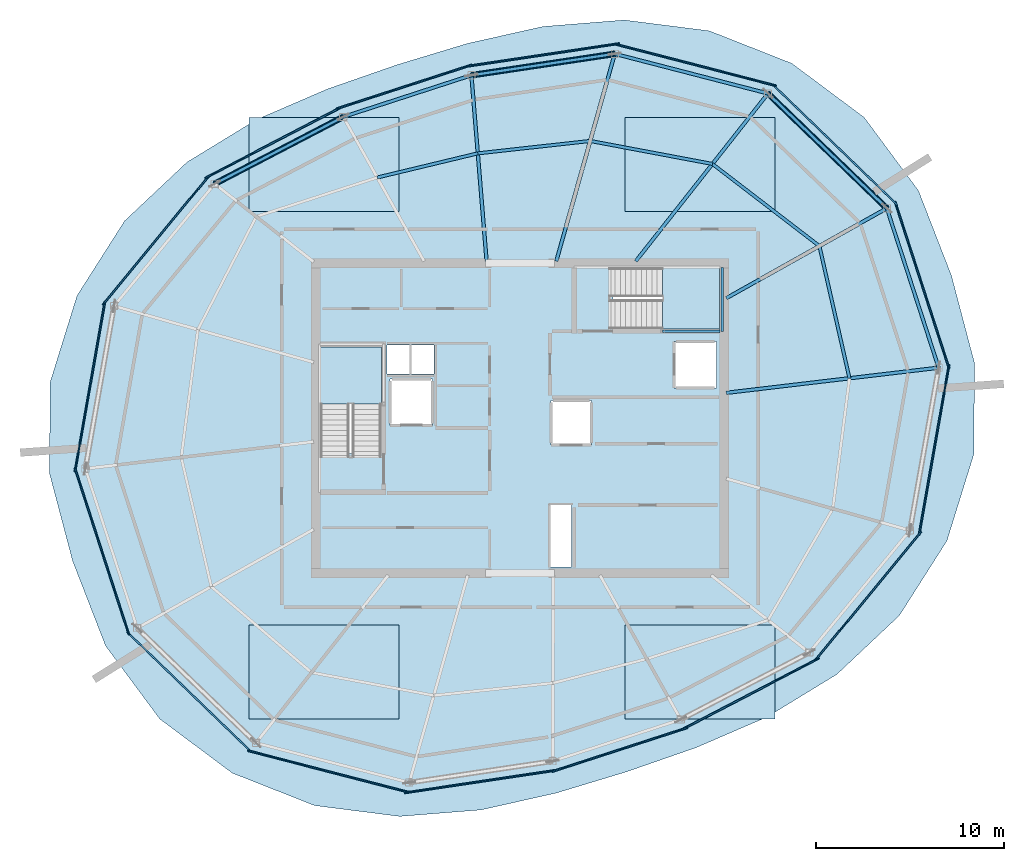
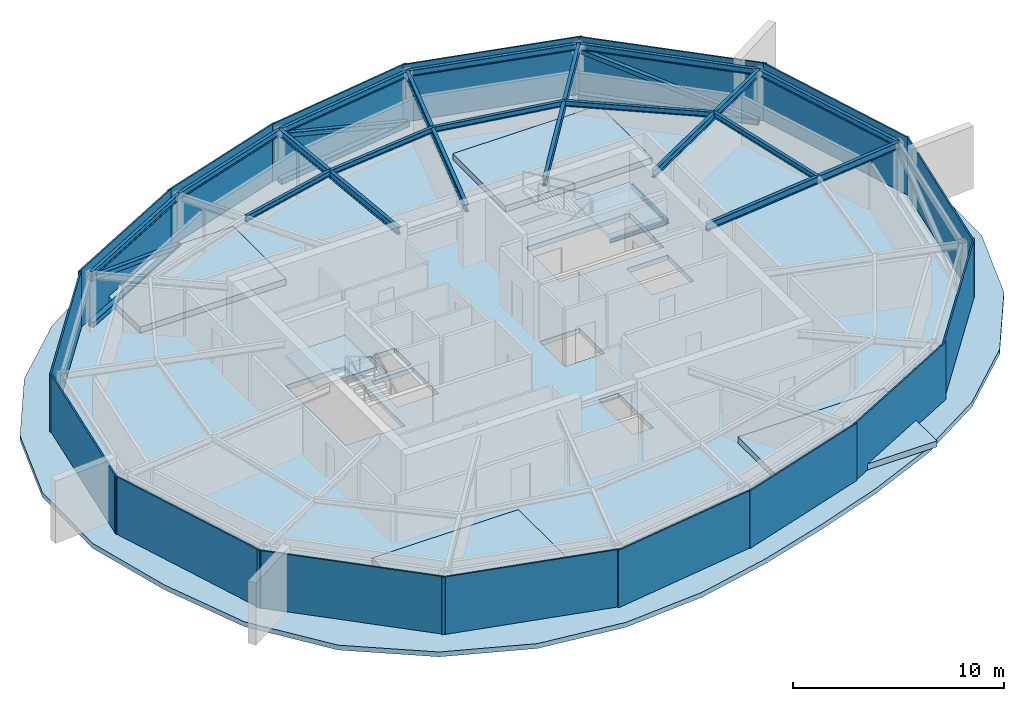
# One storey, part 5 of 10: 18 beams, 16 plates, 7 slabs, 6 members, 2 elements without a shape of their own.
"""IFC4 building model written with IfcOpenShell, lengths in metres."""

import ifcopenshell
import ifcopenshell.guid

model = None  # the IFC model being written
_history = None  # IfcOwnerHistory: only IFC2X3 demands one
_inside = {}  # id of a spatial element -> (the spatial element, [elements in it])
_under = {}  # id of a project, library or spatial element -> (it, [spatial elements below it])
_declared = {}  # id of a project -> (the project, [libraries it declares])
_typed = {}  # id of a type object -> (the type object, [elements of that type])
_made_of = {}  # id of a material, layer set ... -> (it, [elements and type objects made of it])


def new_model(schema):
    """Start an empty IFC model of exactly this schema.

    Asked for "IFC4X3", IfcOpenShell would pick the latest addendum, in which some entities
    have other attributes; the version numbers below select the first issue.
    IFC2X3 requires an IfcOwnerHistory on every rooted entity: one is made here for all.
    """
    global model, _history
    if schema == "IFC4X3":
        model = ifcopenshell.file(schema_version=(4, 3, 0, 0))
    else:
        model = ifcopenshell.file(schema=schema)
    _inside.clear()
    _under.clear()
    _declared.clear()
    _typed.clear()
    _made_of.clear()
    _history = None
    if model.schema == "IFC2X3":
        org = make("IfcOrganization", Name="unknown")
        user = make(
            "IfcPersonAndOrganization",
            ThePerson=make("IfcPerson", FamilyName="unknown"),
            TheOrganization=org,
        )
        app = make(
            "IfcApplication",
            ApplicationDeveloper=org,
            Version="unknown",
            ApplicationFullName="unknown",
            ApplicationIdentifier="unknown",
        )
        _history = make(
            "IfcOwnerHistory",
            OwningUser=user,
            OwningApplication=app,
            ChangeAction="ADDED",
            CreationDate=0,
        )
    return model


def make(cls, **values):
    """One entity of the class cls with the attributes given. An attribute that is None is left unset."""
    return model.create_entity(
        cls, **{name: value for name, value in values.items() if value is not None}
    )


def rooted(cls, **values):
    """An entity with a GlobalId (a new one), such as an element, a storey or a relation."""
    return make(cls, GlobalId=ifcopenshell.guid.new(), OwnerHistory=_history, **values)


def si_unit(unit_type, name, prefix=None):
    """IfcSIUnit, for example si_unit("LENGTHUNIT", "METRE", prefix="MILLI")."""
    return make("IfcSIUnit", UnitType=unit_type, Prefix=prefix, Name=name)


def assignment(units):
    """IfcUnitAssignment: the units of a project."""
    return None if units is None else make("IfcUnitAssignment", Units=units)


def point(xyz):
    """IfcCartesianPoint."""
    return None if xyz is None else make("IfcCartesianPoint", Coordinates=xyz)


def direction(xyz):
    """IfcDirection."""
    return None if xyz is None else make("IfcDirection", DirectionRatios=xyz)


def frame(location, z_axis=None, x_axis=None):
    """IfcAxis2Placement3D, a coordinate frame: its origin and axes. An axis left out is left unset."""
    return make(
        "IfcAxis2Placement3D",
        Location=point(location),
        Axis=direction(z_axis),
        RefDirection=direction(x_axis),
    )


def frame_2d(location, x_axis=None):
    """IfcAxis2Placement2D, a coordinate frame in the plane: its origin and x axis."""
    return make(
        "IfcAxis2Placement2D", Location=point(location), RefDirection=direction(x_axis)
    )


def origin():
    """The frame at (0, 0, 0) with its axes left unset."""
    return frame((0.0, 0.0, 0.0))


def origin_2d():
    """The frame at (0, 0) in the plane with its x axis left unset."""
    return frame_2d((0.0, 0.0))


def place(relative_to, where):
    """IfcLocalPlacement: puts the frame where relative to a parent placement (None: the world)."""
    return make(
        "IfcLocalPlacement", PlacementRelTo=relative_to, RelativePlacement=where
    )


def context(
    kind, dimensions, precision=None, world=None, true_north=None, identifier=None
):
    """IfcGeometricRepresentationContext, for example the 3D "Model" context."""
    return make(
        "IfcGeometricRepresentationContext",
        ContextIdentifier=identifier,
        ContextType=kind,
        CoordinateSpaceDimension=dimensions,
        Precision=precision,
        WorldCoordinateSystem=world,
        TrueNorth=true_north,
    )


def subcontext(parent, identifier, kind, view, scale=None):
    """IfcGeometricRepresentationSubContext, for example "Body" below "Model"."""
    return make(
        "IfcGeometricRepresentationSubContext",
        ContextIdentifier=identifier,
        ContextType=kind,
        ParentContext=parent,
        TargetScale=scale,
        TargetView=view,
    )


def project(units=None, contexts=None):
    """IfcProject with its units and contexts."""
    return rooted(
        "IfcProject",
        Name="project",
        RepresentationContexts=contexts,
        UnitsInContext=assignment(units),
    )


def spatial(cls, under=None, at=None, **own):
    """A site, building, storey or space (cls), placed at a placement, below another one or the project."""
    s = rooted(cls, ObjectPlacement=at, **own)
    if under is not None:
        _under.setdefault(under.id(), (under, []))[1].append(s)
    return s


def polyline(points):
    """IfcPolyline through the points."""
    return make("IfcPolyline", Points=[point(p) for p in points])


def profile(cls, at=None, kind="AREA", **sizes):
    """A parametric profile (cls). Its sizes go by their IFC names, for example OverallWidth=200.0."""
    return make(cls, ProfileType=kind, Position=at, **sizes)


def rectangle(**sizes):
    """IfcRectangleProfileDef."""
    return profile("IfcRectangleProfileDef", **sizes)


def hollow_rectangle(**sizes):
    """IfcRectangleHollowProfileDef."""
    return profile("IfcRectangleHollowProfileDef", **sizes)


def i_section(**sizes):
    """IfcIShapeProfileDef."""
    return profile("IfcIShapeProfileDef", **sizes)


def outline(outer, holes=None, kind="AREA"):
    """IfcArbitraryClosedProfileDef: a profile drawn as a closed curve; with holes, ...WithVoids."""
    if holes is None:
        return make("IfcArbitraryClosedProfileDef", ProfileType=kind, OuterCurve=outer)
    return make(
        "IfcArbitraryProfileDefWithVoids",
        ProfileType=kind,
        OuterCurve=outer,
        InnerCurves=holes,
    )


def extrude(swept, where, along, depth):
    """IfcExtrudedAreaSolid: the profile swept, set in the frame where, extruded along a direction by depth."""
    return make(
        "IfcExtrudedAreaSolid",
        SweptArea=swept,
        Position=where,
        ExtrudedDirection=direction(along),
        Depth=depth,
    )


def shape(context_of_items, identifier, shape_type, items):
    """IfcShapeRepresentation: the items that make up one representation, for example the "Body"."""
    return make(
        "IfcShapeRepresentation",
        ContextOfItems=context_of_items,
        RepresentationIdentifier=identifier,
        RepresentationType=shape_type,
        Items=items,
    )


def material(Name=None, Category=None):
    """IfcMaterial."""
    return make("IfcMaterial", Name=Name, Category=Category)


def layer(
    of_material, thickness, ventilated=None, Name=None, Category=None, Priority=None
):
    """IfcMaterialLayer: one layer of a wall or slab, of a material (None: an air gap)."""
    return make(
        "IfcMaterialLayer",
        Material=of_material,
        LayerThickness=thickness,
        IsVentilated=ventilated,
        Name=Name,
        Category=Category,
        Priority=Priority,
    )


def layer_set(layers, Name=None):
    """IfcMaterialLayerSet."""
    return make("IfcMaterialLayerSet", MaterialLayers=layers, LayerSetName=Name)


def material_profile(
    of_material, cross_section, Name=None, Category=None, Priority=None
):
    """IfcMaterialProfile: a cross section and its material."""
    return make(
        "IfcMaterialProfile",
        Name=Name,
        Material=of_material,
        Profile=cross_section,
        Priority=Priority,
        Category=Category,
    )


def profile_set(profiles, Name=None, composite=None):
    """IfcMaterialProfileSet."""
    return make(
        "IfcMaterialProfileSet",
        Name=Name,
        MaterialProfiles=profiles,
        CompositeProfile=composite,
    )


def made_of(thing, what):
    """Note that an element or type object is made of a material, layer set ...; save() writes the relation."""
    if what is not None:
        _made_of.setdefault(what.id(), (what, []))[1].append(thing)
    return thing


def type_object(cls, material=None, **own):
    """A type object (cls), such as IfcWallType, which elements share."""
    return made_of(rooted(cls, **own), material)


def element(
    cls,
    number,
    at=None,
    inside=None,
    cuts=None,
    type_object=None,
    material=None,
    context=None,
    identifier="Body",
    shape_type=None,
    held_by="IfcProductDefinitionShape",
    body=None,
    shapes=None,
    **own,
):
    """One element of the class cls, such as IfcWall. Its Tag is "e" and its number.

    at: its placement. inside: the storey or other place that contains it. cuts: it is an
    opening in that element (IfcRelVoidsElement). A single representation is given by context,
    identifier, shape_type and body (its items); several are given by shapes. held_by: the class
    of the entity that holds the representations. save() writes the other relations.
    """
    e = rooted(cls, Tag="e%d" % number, ObjectPlacement=at, **own)
    if body is not None:
        shapes = [shape(context, identifier, shape_type, body)]
    if shapes is not None:
        e.Representation = make(held_by, Representations=shapes)
    if inside is not None:
        _inside.setdefault(inside.id(), (inside, []))[1].append(e)
    if cuts is not None:
        rooted(
            "IfcRelVoidsElement", RelatingBuildingElement=cuts, RelatedOpeningElement=e
        )
    if type_object is not None:
        _typed.setdefault(type_object.id(), (type_object, []))[1].append(e)
    return made_of(e, material)


def aggregate(whole, parts):
    """IfcRelAggregates: a whole, such as a stair, and the parts it consists of."""
    return rooted("IfcRelAggregates", RelatingObject=whole, RelatedObjects=parts)


def save(model, path):
    """Write the relations noted so far, then the file.

    IfcRelAggregates (storeys below a building ...), IfcRelContainedInSpatialStructure (elements
    in a storey), IfcRelDefinesByType, IfcRelAssociatesMaterial and IfcRelDeclares: one each for
    every whole, place, type object, material and project.
    """
    for whole, parts in _under.values():
        aggregate(whole, parts)
    for where, things in _inside.values():
        rooted(
            "IfcRelContainedInSpatialStructure",
            RelatedElements=things,
            RelatingStructure=where,
        )
    for kind, things in _typed.values():
        rooted("IfcRelDefinesByType", RelatedObjects=things, RelatingType=kind)
    for what, things in _made_of.values():
        rooted("IfcRelAssociatesMaterial", RelatedObjects=things, RelatingMaterial=what)
    for by, libraries in _declared.values():
        rooted("IfcRelDeclares", RelatingContext=by, RelatedDefinitions=libraries)
    model.write(path)


model = new_model("IFC4")

# Units and contexts
model_context = context("Model", 3, precision=1e-05, world=origin(), true_north=direction((0.0, 1.0)))
body_context = subcontext(model_context, "Body", "Model", "MODEL_VIEW")
ifc_project = project(units=[si_unit("LENGTHUNIT", "METRE"), si_unit("AREAUNIT", "SQUARE_METRE"), si_unit("VOLUMEUNIT", "CUBIC_METRE"), si_unit("PLANEANGLEUNIT", "RADIAN"), si_unit("MASSUNIT", "GRAM", prefix="KILO")], contexts=[model_context])

# Site, building, storey
site_placement = place(None, origin())
site = spatial("IfcSite", under=ifc_project, at=site_placement, CompositionType="ELEMENT")
building_placement = place(site_placement, origin())
building = spatial("IfcBuilding", under=site, at=building_placement, Name="Kazma Halo Residences", CompositionType="ELEMENT")
storey_placement = place(building_placement, frame((0.0, 0.0, 366.800048828125)))
storey = spatial("IfcBuildingStorey", under=building, at=storey_placement, Name="L92", CompositionType="ELEMENT", Elevation=366.800048828125)

# Beams
ifc_material_1 = material(Name="Steel S355", Category="steel")
ifc_material_profile_1 = material_profile(ifc_material_1, i_section(OverallWidth=0.177978515625, OverallDepth=0.406982421875, WebThickness=0.0078125, FlangeThickness=0.0126953125, FilletRadius=0.013916015625, at=origin_2d()), Name="W410x60")
ifc_profile_set_1 = profile_set([ifc_material_profile_1], Name="Steel S355")
beam_type_1 = type_object("IfcBeamType", Name="BM-RAD-W410", PredefinedType="BEAM", material=ifc_profile_set_1)
beam_1_placement = place(storey_placement, frame((59.39990234375, 48.38427734375, 3.116455078125), z_axis=(0.872500487018, 0.488613241894, 0.0), x_axis=(-0.488613241894, 0.872500487018, 0.0)))
element("IfcBeam", 1, at=beam_1_placement, inside=storey, type_object=beam_type_1, Name="L92 radial floor beam 01", PredefinedType="BEAM", context=body_context, shape_type="SweptSolid", body=[
    extrude(i_section(OverallWidth=0.177978515625, OverallDepth=0.406982421875, WebThickness=0.0078125, FlangeThickness=0.0126953125, FilletRadius=0.013916015625, at=origin_2d()), origin(), (0.0, 0.0, 1.0), 9.788818359375),
])
beam_2_placement = place(storey_placement, frame((54.58251953125, 50.35009765625, 3.116455078125), z_axis=(0.619100773028, 0.785311551447, 0.0), x_axis=(-0.785311551447, 0.619100773028, 0.0)))
element("IfcBeam", 2, at=beam_2_placement, inside=storey, type_object=beam_type_1, Name="L92 radial floor beam 02", PredefinedType="BEAM", context=body_context, shape_type="SweptSolid", body=[
    extrude(i_section(OverallWidth=0.177978515625, OverallDepth=0.406982421875, WebThickness=0.0078125, FlangeThickness=0.0126953125, FilletRadius=0.013916015625, at=origin_2d()), origin(), (0.0, 0.0, 1.0), 11.363037109375),
])
beam_3_placement = place(storey_placement, frame((50.35498046875, 50.35009765625, 3.116455078125), z_axis=(0.271433859027, 0.962457095238, 0.0), x_axis=(-0.962457095238, 0.271433859027, 0.0)))
element("IfcBeam", 3, at=beam_3_placement, inside=storey, type_object=beam_type_1, Name="L92 radial floor beam 03", PredefinedType="BEAM", context=body_context, shape_type="SweptSolid", body=[
    extrude(i_section(OverallWidth=0.177978515625, OverallDepth=0.406982421875, WebThickness=0.0078125, FlangeThickness=0.0126953125, FilletRadius=0.013916015625, at=origin_2d()), origin(), (0.0, 0.0, 1.0), 11.462646484375),
])
beam_4_placement = place(storey_placement, frame((46.64990234375, 50.35009765625, 3.116455078125), z_axis=(-0.081506605081, 0.996672801539, 0.0), x_axis=(-0.996672801539, -0.081506605081, 0.0)))
element("IfcBeam", 4, at=beam_4_placement, inside=storey, type_object=beam_type_1, Name="L92 radial floor beam 04", PredefinedType="BEAM", context=body_context, shape_type="SweptSolid", body=[
    extrude(i_section(OverallWidth=0.177978515625, OverallDepth=0.406982421875, WebThickness=0.0078125, FlangeThickness=0.0126953125, FilletRadius=0.013916015625, at=origin_2d()), origin(), (0.0, 0.0, 1.0), 9.926513671875),
])
beam_5_placement = place(storey_placement, frame((59.39990234375, 43.349365234375, 3.116455078125), z_axis=(0.993069497533, 0.117528605327, 0.0), x_axis=(-0.117528605327, 0.993069497533, 0.0)))
element("IfcBeam", 5, at=beam_5_placement, inside=storey, type_object=beam_type_1, Name="L92 radial floor beam 16", PredefinedType="BEAM", context=body_context, shape_type="SweptSolid", body=[
    extrude(i_section(OverallWidth=0.177978515625, OverallDepth=0.406982421875, WebThickness=0.0078125, FlangeThickness=0.0126953125, FilletRadius=0.013916015625, at=origin_2d()), origin(), (0.0, 0.0, 1.0), 11.375244140625),
])
ifc_material_profile_2 = material_profile(ifc_material_1, i_section(OverallWidth=0.1650390625, OverallDepth=0.31005859375, WebThickness=0.005859375, FlangeThickness=0.009765625, FilletRadius=0.011962890625, at=origin_2d()), Name="W310x38.7")
ifc_profile_set_2 = profile_set([ifc_material_profile_2], Name="Steel S355")
beam_type_2 = type_object("IfcBeamType", Name="BM-SEC-W310B", PredefinedType="JOIST", material=ifc_profile_set_2)
beam_6_placement = place(storey_placement, frame((64.353515625, 51.158447265625, 3.1650390625), z_axis=(-0.793314295729, 0.608812309494, 0.0), x_axis=(-0.608812309494, -0.793314295729, 0.0)))
element("IfcBeam", 6, at=beam_6_placement, inside=storey, type_object=beam_type_2, Name="L92 circumferential floor joist 01", PredefinedType="JOIST", context=body_context, shape_type="SweptSolid", body=[
    extrude(i_section(OverallWidth=0.1650390625, OverallDepth=0.31005859375, WebThickness=0.005859375, FlangeThickness=0.009765625, FilletRadius=0.011962890625, at=origin_2d()), origin(), (0.0, 0.0, 1.0), 7.17333984375),
])
beam_7_placement = place(storey_placement, frame((58.662841796875, 55.525634765625, 3.1650390625), z_axis=(-0.982768028721, 0.184843181435, 0.0), x_axis=(-0.184843181435, -0.982768028721, 0.0)))
element("IfcBeam", 7, at=beam_7_placement, inside=storey, type_object=beam_type_2, Name="L92 circumferential floor joist 02", PredefinedType="JOIST", context=body_context, shape_type="SweptSolid", body=[
    extrude(i_section(OverallWidth=0.1650390625, OverallDepth=0.31005859375, WebThickness=0.005859375, FlangeThickness=0.009765625, FilletRadius=0.011962890625, at=origin_2d()), origin(), (0.0, 0.0, 1.0), 6.6171875),
])
beam_8_placement = place(storey_placement, frame((52.15966796875, 56.748779296875, 3.1650390625), z_axis=(-0.993955293014, -0.109785588714, 0.0), x_axis=(0.109785588714, -0.993955293014, 0.0)))
element("IfcBeam", 8, at=beam_8_placement, inside=storey, type_object=beam_type_2, Name="L92 circumferential floor joist 03", PredefinedType="JOIST", context=body_context, shape_type="SweptSolid", body=[
    extrude(i_section(OverallWidth=0.1650390625, OverallDepth=0.31005859375, WebThickness=0.005859375, FlangeThickness=0.009765625, FilletRadius=0.011962890625, at=origin_2d()), origin(), (0.0, 0.0, 1.0), 6.015380859375),
])
beam_9_placement = place(storey_placement, frame((46.1806640625, 56.08837890625, 3.1650390625), z_axis=(-0.972370386067, -0.233443424194, 0.0), x_axis=(0.233443424194, -0.972370386067, 0.0)))
element("IfcBeam", 9, at=beam_9_placement, inside=storey, type_object=beam_type_2, Name="L92 circumferential floor joist 04", PredefinedType="JOIST", context=body_context, shape_type="SweptSolid", body=[
    extrude(i_section(OverallWidth=0.1650390625, OverallDepth=0.31005859375, WebThickness=0.005859375, FlangeThickness=0.009765625, FilletRadius=0.011962890625, at=origin_2d()), origin(), (0.0, 0.0, 1.0), 5.503173828125),
])
beam_10_placement = place(storey_placement, frame((65.951904296875, 44.124755859375, 3.1650390625), z_axis=(-0.221597696416, 0.975138175308, 0.0), x_axis=(-0.975138175308, -0.221597696416, 0.0)))
element("IfcBeam", 10, at=beam_10_placement, inside=storey, type_object=beam_type_2, Name="L92 circumferential floor joist 16", PredefinedType="JOIST", context=body_context, shape_type="SweptSolid", body=[
    extrude(i_section(OverallWidth=0.1650390625, OverallDepth=0.31005859375, WebThickness=0.005859375, FlangeThickness=0.009765625, FilletRadius=0.011962890625, at=origin_2d()), origin(), (0.0, 0.0, 1.0), 7.213134765625),
])
ifc_material_profile_3 = material_profile(ifc_material_1, i_section(OverallWidth=0.1708984375, OverallDepth=0.35498046875, WebThickness=0.007080078125, FlangeThickness=0.01171875, FilletRadius=0.013916015625, at=origin_2d()), Name="W360x51")
ifc_profile_set_3 = profile_set([ifc_material_profile_3], Name="Steel S355")
beam_type_3 = type_object("IfcBeamType", Name="BM-SPN-W360", PredefinedType="BEAM", material=ifc_profile_set_3)
beam_11_placement = place(storey_placement, frame((67.940673828125, 53.167236328125, 3.142333984375), z_axis=(-0.719330630477, 0.694667866003, 0.0), x_axis=(-0.694667866003, -0.719330630477, 0.0)))
element("IfcBeam", 11, at=beam_11_placement, inside=storey, type_object=beam_type_3, Name="L92 CROWN FRAME ring beam 01", PredefinedType="BEAM", context=body_context, shape_type="SweptSolid", body=[
    extrude(i_section(OverallWidth=0.1708984375, OverallDepth=0.35498046875, WebThickness=0.007080078125, FlangeThickness=0.01171875, FilletRadius=0.013916015625, at=origin_2d()), origin(), (0.0, 0.0, 1.0), 8.79052734375),
])
beam_12_placement = place(storey_placement, frame((61.617431640625, 59.273681640625, 3.142333984375), z_axis=(-0.968129821283, 0.250448895271, 0.0), x_axis=(-0.250448895271, -0.968129821283, 0.0)))
element("IfcBeam", 12, at=beam_12_placement, inside=storey, type_object=beam_type_3, Name="L92 CROWN FRAME ring beam 02", PredefinedType="BEAM", context=body_context, shape_type="SweptSolid", body=[
    extrude(i_section(OverallWidth=0.1708984375, OverallDepth=0.35498046875, WebThickness=0.007080078125, FlangeThickness=0.01171875, FilletRadius=0.013916015625, at=origin_2d()), origin(), (0.0, 0.0, 1.0), 8.41943359375),
])
beam_13_placement = place(storey_placement, frame((53.46630859375, 61.38232421875, 3.142333984375), z_axis=(-0.989034152337, -0.147686984904, 0.0), x_axis=(0.147686984904, -0.989034152337, 0.0)))
element("IfcBeam", 13, at=beam_13_placement, inside=storey, type_object=beam_type_3, Name="L92 CROWN FRAME ring beam 03", PredefinedType="BEAM", context=body_context, shape_type="SweptSolid", body=[
    extrude(i_section(OverallWidth=0.1708984375, OverallDepth=0.35498046875, WebThickness=0.007080078125, FlangeThickness=0.01171875, FilletRadius=0.013916015625, at=origin_2d()), origin(), (0.0, 0.0, 1.0), 7.7099609375),
])
beam_14_placement = place(storey_placement, frame((45.8408203125, 60.24365234375, 3.142333984375), z_axis=(-0.951067102, -0.308984413026, 0.0), x_axis=(0.308984413026, -0.951067102, 0.0)))
element("IfcBeam", 14, at=beam_14_placement, inside=storey, type_object=beam_type_3, Name="L92 CROWN FRAME ring beam 04", PredefinedType="BEAM", context=body_context, shape_type="SweptSolid", body=[
    extrude(i_section(OverallWidth=0.1708984375, OverallDepth=0.35498046875, WebThickness=0.007080078125, FlangeThickness=0.01171875, FilletRadius=0.013916015625, at=origin_2d()), origin(), (0.0, 0.0, 1.0), 7.168212890625),
])
beam_15_placement = place(storey_placement, frame((39.0234375, 58.02880859375, 3.142333984375), z_axis=(-0.886940838721, -0.461883046461, 0.0), x_axis=(0.461883046461, -0.886940838721, 0.0)))
element("IfcBeam", 15, at=beam_15_placement, inside=storey, type_object=beam_type_3, Name="L92 CROWN FRAME ring beam 05", PredefinedType="BEAM", context=body_context, shape_type="SweptSolid", body=[
    extrude(i_section(OverallWidth=0.1708984375, OverallDepth=0.35498046875, WebThickness=0.007080078125, FlangeThickness=0.01171875, FilletRadius=0.013916015625, at=origin_2d()), origin(), (0.0, 0.0, 1.0), 7.71044921875),
])
beam_16_placement = place(storey_placement, frame((70.6962890625, 44.686279296875, 3.142333984375), z_axis=(-0.309015498459, 0.951057002346, 0.0), x_axis=(-0.951057002346, -0.309015498459, 0.0)))
element("IfcBeam", 16, at=beam_16_placement, inside=storey, type_object=beam_type_3, Name="L92 CROWN FRAME ring beam 16", PredefinedType="BEAM", context=body_context, shape_type="SweptSolid", body=[
    extrude(i_section(OverallWidth=0.1708984375, OverallDepth=0.35498046875, WebThickness=0.007080078125, FlangeThickness=0.01171875, FilletRadius=0.013916015625, at=origin_2d()), origin(), (0.0, 0.0, 1.0), 8.91748046875),
])
ifc_material_profile_4 = material_profile(ifc_material_1, i_section(OverallWidth=0.133056640625, OverallDepth=0.20703125, WebThickness=0.005859375, FlangeThickness=0.00830078125, FilletRadius=0.010009765625, at=origin_2d()), Name="W200x26.6")
ifc_profile_set_4 = profile_set([ifc_material_profile_4], Name="Steel S355")
beam_type_4 = type_object("IfcBeamType", Name="BM-TRIM-W200", PredefinedType="BEAM", material=ifc_profile_set_4)
beam_17_placement = place(storey_placement, frame((56.0, 46.6201171875, 1.494873046875), z_axis=(1.0, 0.0, 0.0), x_axis=(0.0, 1.0, 0.0)))
element("IfcBeam", 17, at=beam_17_placement, inside=storey, type_object=beam_type_4, Name="L92 ST-02 landing south wall ledger", PredefinedType="BEAM", context=body_context, shape_type="SweptSolid", body=[
    extrude(i_section(OverallWidth=0.133056640625, OverallDepth=0.20703125, WebThickness=0.005859375, FlangeThickness=0.00830078125, FilletRadius=0.010009765625, at=origin_2d()), origin(), (0.0, 0.0, 1.0), 3.070068359375),
])
beam_18_placement = place(storey_placement, frame((59.18994140625, 46.6201171875, 1.494873046875), z_axis=(0.0, 1.0, 0.0), x_axis=(-1.0, 0.0, 0.0)))
element("IfcBeam", 18, at=beam_18_placement, inside=storey, type_object=beam_type_4, Name="L92 ST-02 landing end wall ledger", PredefinedType="BEAM", context=body_context, shape_type="SweptSolid", body=[
    extrude(i_section(OverallWidth=0.133056640625, OverallDepth=0.20703125, WebThickness=0.005859375, FlangeThickness=0.00830078125, FilletRadius=0.010009765625, at=origin_2d()), origin(), (0.0, 0.0, 1.0), 3.39990234375),
])

# Members
ifc_material_profile_5 = material_profile(ifc_material_1, hollow_rectangle(XDim=0.25, YDim=0.25, WallThickness=0.010009765625, InnerFilletRadius=0.010009765625, OuterFilletRadius=0.02001953125, at=origin_2d()), Name="SHS250x250x10")
ifc_profile_set_5 = profile_set([ifc_material_profile_5], Name="Steel S355")
member_type_1 = type_object("IfcMemberType", Name="MBR-CRWN-SHS250", PredefinedType="BRACE", material=ifc_profile_set_5)
member_1_placement = place(storey_placement, frame((67.940673828125, 53.167236328125, 0.280029296875), z_axis=(-0.688500856282, 0.664895112638, 0.289622271397), x_axis=(-0.694667866003, -0.719330630477, 0.0)))
element("IfcMember", 19, at=member_1_placement, inside=storey, type_object=member_type_1, Name="L92 CROWN FRAME diagonal brace 01", PredefinedType="BRACE", context=body_context, shape_type="SweptSolid", body=[
    extrude(hollow_rectangle(XDim=0.25, YDim=0.25, WallThickness=0.010009765625, InnerFilletRadius=0.010009765625, OuterFilletRadius=0.02001953125, at=origin_2d()), origin(), (0.0, 0.0, 1.0), 9.18408203125),
])
member_2_placement = place(storey_placement, frame((53.46630859375, 61.38232421875, 0.280029296875), z_axis=(-0.934958348146, -0.139612144962, 0.326130857497), x_axis=(0.147686984904, -0.989034152337, 0.0)))
element("IfcMember", 20, at=member_2_placement, inside=storey, type_object=member_type_1, Name="L92 CROWN FRAME diagonal brace 03", PredefinedType="BRACE", context=body_context, shape_type="SweptSolid", body=[
    extrude(hollow_rectangle(XDim=0.25, YDim=0.25, WallThickness=0.010009765625, InnerFilletRadius=0.010009765625, OuterFilletRadius=0.02001953125, at=origin_2d()), origin(), (0.0, 0.0, 1.0), 8.156005859375),
])
member_3_placement = place(storey_placement, frame((39.0234375, 58.02880859375, 0.280029296875), z_axis=(-0.838450646682, -0.436631308527, 0.326119017372), x_axis=(0.461883046461, -0.886940838721, 0.0)))
element("IfcMember", 21, at=member_3_placement, inside=storey, type_object=member_type_1, Name="L92 CROWN FRAME diagonal brace 05", PredefinedType="BRACE", context=body_context, shape_type="SweptSolid", body=[
    extrude(hollow_rectangle(XDim=0.25, YDim=0.25, WallThickness=0.010009765625, InnerFilletRadius=0.010009765625, OuterFilletRadius=0.02001953125, at=origin_2d()), origin(), (0.0, 0.0, 1.0), 8.15625),
])
ifc_material_profile_6 = material_profile(ifc_material_1, hollow_rectangle(XDim=0.300048828125, YDim=0.300048828125, WallThickness=0.012451171875, InnerFilletRadius=0.012451171875, OuterFilletRadius=0.02490234375, at=origin_2d()), Name="SHS300x300x12.5")
ifc_profile_set_6 = profile_set([ifc_material_profile_6], Name="Steel S355")
member_type_2 = type_object("IfcMemberType", Name="MBR-CRWN-SHS300", PredefinedType="CHORD", material=ifc_profile_set_6)
member_4_placement = place(storey_placement, frame((67.940673828125, 53.167236328125, 0.280029296875), z_axis=(-0.719330630477, 0.694667866003, 0.0), x_axis=(-0.694667866003, -0.719330630477, 0.0)))
element("IfcMember", 22, at=member_4_placement, inside=storey, type_object=member_type_2, Name="L92 CROWN FRAME horizontal ring chord 01", PredefinedType="CHORD", context=body_context, shape_type="SweptSolid", body=[
    extrude(hollow_rectangle(XDim=0.300048828125, YDim=0.300048828125, WallThickness=0.012451171875, InnerFilletRadius=0.012451171875, OuterFilletRadius=0.02490234375, at=origin_2d()), origin(), (0.0, 0.0, 1.0), 8.79052734375),
])
member_5_placement = place(storey_placement, frame((53.46630859375, 61.38232421875, 0.280029296875), z_axis=(-0.989034152337, -0.147686984904, 0.0), x_axis=(0.147686984904, -0.989034152337, 0.0)))
element("IfcMember", 23, at=member_5_placement, inside=storey, type_object=member_type_2, Name="L92 CROWN FRAME horizontal ring chord 03", PredefinedType="CHORD", context=body_context, shape_type="SweptSolid", body=[
    extrude(hollow_rectangle(XDim=0.300048828125, YDim=0.300048828125, WallThickness=0.012451171875, InnerFilletRadius=0.012451171875, OuterFilletRadius=0.02490234375, at=origin_2d()), origin(), (0.0, 0.0, 1.0), 7.7099609375),
])
member_6_placement = place(storey_placement, frame((39.0234375, 58.02880859375, 0.280029296875), z_axis=(-0.886940838721, -0.461883046461, 0.0), x_axis=(0.461883046461, -0.886940838721, 0.0)))
element("IfcMember", 24, at=member_6_placement, inside=storey, type_object=member_type_2, Name="L92 CROWN FRAME horizontal ring chord 05", PredefinedType="CHORD", context=body_context, shape_type="SweptSolid", body=[
    extrude(hollow_rectangle(XDim=0.300048828125, YDim=0.300048828125, WallThickness=0.012451171875, InnerFilletRadius=0.012451171875, OuterFilletRadius=0.02490234375, at=origin_2d()), origin(), (0.0, 0.0, 1.0), 7.71044921875),
])

# Plates
ifc_material_2 = material(Name="Aluminium AW-6063 T6 Perforated Acoustic Louvre Screen", Category="aluminium")
ifc_layer_1 = layer(ifc_material_2, 0.080078125)
ifc_layer_set_1 = layer_set([ifc_layer_1], Name="Aluminium AW-6063 T6 Perforated Acoustic Louvre Screen")
plate_type = type_object("IfcPlateType", Name="PLT-CROWN-LOUVRE", PredefinedType="SHEET", material=ifc_layer_set_1)
plate_1_placement = place(storey_placement, frame((65.17578125, 56.556640625, 0.0), z_axis=(0.0, 0.0, 1.0), x_axis=(-0.719342064482, 0.694656025863, 0.0)))
element("IfcPlate", 25, at=plate_1_placement, inside=storey, type_object=plate_type, Name="L92 pale-metal acoustic louvre screen 01", PredefinedType="SHEET", context=body_context, shape_type="SweptSolid", body=[
    extrude(rectangle(XDim=9.1904296875, YDim=0.080078125, at=origin_2d()), origin(), (0.0, 0.0, 1.0), 3.320068359375),
])
plate_2_placement = place(storey_placement, frame((57.781982421875, 60.789306640625, 0.0), z_axis=(0.0, 0.0, 1.0), x_axis=(-0.968124370805, 0.250469963576, 0.0)))
element("IfcPlate", 26, at=plate_2_placement, inside=storey, type_object=plate_type, Name="L92 pale-metal acoustic louvre screen 02", PredefinedType="SHEET", context=body_context, shape_type="SweptSolid", body=[
    extrude(rectangle(XDim=8.8193359375, YDim=0.080078125, at=origin_2d()), origin(), (0.0, 0.0, 1.0), 3.320068359375),
])
plate_3_placement = place(storey_placement, frame((49.69921875, 61.3310546875, 0.0), z_axis=(0.0, 0.0, 1.0), x_axis=(-0.98903421845, -0.147686542161, 0.0)))
element("IfcPlate", 27, at=plate_3_placement, inside=storey, type_object=plate_type, Name="L92 pale-metal acoustic louvre screen 03", PredefinedType="SHEET", context=body_context, shape_type="SweptSolid", body=[
    extrude(rectangle(XDim=8.110107421875, YDim=0.080078125, at=origin_2d()), origin(), (0.0, 0.0, 1.0), 3.320068359375),
])
plate_4_placement = place(storey_placement, frame((42.271484375, 59.630615234375, 0.0), z_axis=(0.0, 0.0, 1.0), x_axis=(-0.951058260985, -0.309011624721, 0.0)))
element("IfcPlate", 28, at=plate_4_placement, inside=storey, type_object=plate_type, Name="L92 pale-metal acoustic louvre screen 04", PredefinedType="SHEET", context=body_context, shape_type="SweptSolid", body=[
    extrude(rectangle(XDim=7.568115234375, YDim=0.080078125, at=origin_2d()), origin(), (0.0, 0.0, 1.0), 3.320068359375),
])
plate_5_placement = place(storey_placement, frame((35.262939453125, 56.640380859375, 0.0), z_axis=(0.0, 0.0, 1.0), x_axis=(-0.886949727325, -0.461865977529, 0.0)))
element("IfcPlate", 29, at=plate_5_placement, inside=storey, type_object=plate_type, Name="L92 pale-metal acoustic louvre screen 05", PredefinedType="SHEET", context=body_context, shape_type="SweptSolid", body=[
    extrude(rectangle(XDim=8.110107421875, YDim=0.080078125, at=origin_2d()), origin(), (0.0, 0.0, 1.0), 3.320068359375),
])
plate_6_placement = place(storey_placement, frame((29.0419921875, 51.451171875, 0.0), z_axis=(0.0, 0.0, 1.0), x_axis=(-0.636007787073, -0.771682638643, 0.0)))
element("IfcPlate", 30, at=plate_6_placement, inside=storey, type_object=plate_type, Name="L92 pale-metal acoustic louvre screen 06", PredefinedType="SHEET", context=body_context, shape_type="SweptSolid", body=[
    extrude(rectangle(XDim=8.8193359375, YDim=0.080078125, at=origin_2d()), origin(), (0.0, 0.0, 1.0), 3.320068359375),
])
plate_7_placement = place(storey_placement, frame((25.54833984375, 43.680908203125, 0.0), z_axis=(0.0, 0.0, 1.0), x_axis=(-0.173656186938, -0.984806340728, 0.0)))
element("IfcPlate", 31, at=plate_7_placement, inside=storey, type_object=plate_type, Name="L92 pale-metal acoustic louvre screen 07", PredefinedType="SHEET", context=body_context, shape_type="SweptSolid", body=[
    extrude(rectangle(XDim=9.1904296875, YDim=0.080078125, at=origin_2d()), origin(), (0.0, 0.0, 1.0), 3.320068359375),
])
plate_8_placement = place(storey_placement, frame((26.18701171875, 34.91259765625, 0.0), z_axis=(0.0, 0.0, 1.0), x_axis=(0.309022680214, -0.951054668835, 0.0)))
element("IfcPlate", 32, at=plate_8_placement, inside=storey, type_object=plate_type, Name="L92 pale-metal acoustic louvre screen 08", PredefinedType="SHEET", context=body_context, shape_type="SweptSolid", body=[
    extrude(rectangle(XDim=9.3173828125, YDim=0.080078125, at=origin_2d()), origin(), (0.0, 0.0, 1.0), 3.320068359375),
])
plate_9_placement = place(storey_placement, frame((30.82421875, 27.443359375, 0.0), z_axis=(0.0, 0.0, 1.0), x_axis=(0.719342064482, -0.694656025863, 0.0)))
element("IfcPlate", 33, at=plate_9_placement, inside=storey, type_object=plate_type, Name="L92 pale-metal acoustic louvre screen 09", PredefinedType="SHEET", context=body_context, shape_type="SweptSolid", body=[
    extrude(rectangle(XDim=9.1904296875, YDim=0.080078125, at=origin_2d()), origin(), (0.0, 0.0, 1.0), 3.320068359375),
])
plate_10_placement = place(storey_placement, frame((38.218017578125, 23.210693359375, 0.0), z_axis=(0.0, 0.0, 1.0), x_axis=(0.968124370805, -0.250469963576, 0.0)))
element("IfcPlate", 34, at=plate_10_placement, inside=storey, type_object=plate_type, Name="L92 pale-metal acoustic louvre screen 10", PredefinedType="SHEET", context=body_context, shape_type="SweptSolid", body=[
    extrude(rectangle(XDim=8.8193359375, YDim=0.080078125, at=origin_2d()), origin(), (0.0, 0.0, 1.0), 3.320068359375),
])
plate_11_placement = place(storey_placement, frame((46.30078125, 22.6689453125, 0.0), z_axis=(0.0, 0.0, 1.0), x_axis=(0.98903421845, 0.147686542161, 0.0)))
element("IfcPlate", 35, at=plate_11_placement, inside=storey, type_object=plate_type, Name="L92 pale-metal acoustic louvre screen 11", PredefinedType="SHEET", context=body_context, shape_type="SweptSolid", body=[
    extrude(rectangle(XDim=8.110107421875, YDim=0.080078125, at=origin_2d()), origin(), (0.0, 0.0, 1.0), 3.320068359375),
])
plate_12_placement = place(storey_placement, frame((53.728515625, 24.369384765625, 0.0), z_axis=(0.0, 0.0, 1.0), x_axis=(0.951058260985, 0.309011624721, 0.0)))
element("IfcPlate", 36, at=plate_12_placement, inside=storey, type_object=plate_type, Name="L92 pale-metal acoustic louvre screen 12", PredefinedType="SHEET", context=body_context, shape_type="SweptSolid", body=[
    extrude(rectangle(XDim=7.568115234375, YDim=0.080078125, at=origin_2d()), origin(), (0.0, 0.0, 1.0), 3.320068359375),
])
plate_13_placement = place(storey_placement, frame((60.737060546875, 27.359619140625, 0.0), z_axis=(0.0, 0.0, 1.0), x_axis=(0.886949727325, 0.461865977529, 0.0)))
element("IfcPlate", 37, at=plate_13_placement, inside=storey, type_object=plate_type, Name="L92 pale-metal acoustic louvre screen 13", PredefinedType="SHEET", context=body_context, shape_type="SweptSolid", body=[
    extrude(rectangle(XDim=8.110107421875, YDim=0.080078125, at=origin_2d()), origin(), (0.0, 0.0, 1.0), 3.320068359375),
])
plate_14_placement = place(storey_placement, frame((66.9580078125, 32.548828125, 0.0), z_axis=(0.0, 0.0, 1.0), x_axis=(0.636007787073, 0.771682638643, 0.0)))
element("IfcPlate", 38, at=plate_14_placement, inside=storey, type_object=plate_type, Name="L92 pale-metal acoustic louvre screen 14", PredefinedType="SHEET", context=body_context, shape_type="SweptSolid", body=[
    extrude(rectangle(XDim=8.8193359375, YDim=0.080078125, at=origin_2d()), origin(), (0.0, 0.0, 1.0), 3.320068359375),
])
plate_15_placement = place(storey_placement, frame((70.45166015625, 40.319091796875, 0.0), z_axis=(0.0, 0.0, 1.0), x_axis=(0.173656186938, 0.984806340728, 0.0)))
element("IfcPlate", 39, at=plate_15_placement, inside=storey, type_object=plate_type, Name="L92 pale-metal acoustic louvre screen 15", PredefinedType="SHEET", context=body_context, shape_type="SweptSolid", body=[
    extrude(rectangle(XDim=9.1904296875, YDim=0.080078125, at=origin_2d()), origin(), (0.0, 0.0, 1.0), 3.320068359375),
])
plate_16_placement = place(storey_placement, frame((69.81298828125, 49.08740234375, 0.0), z_axis=(0.0, 0.0, 1.0), x_axis=(-0.309022680214, 0.951054668835, 0.0)))
element("IfcPlate", 40, at=plate_16_placement, inside=storey, type_object=plate_type, Name="L92 pale-metal acoustic louvre screen 16", PredefinedType="SHEET", context=body_context, shape_type="SweptSolid", body=[
    extrude(rectangle(XDim=9.3173828125, YDim=0.080078125, at=origin_2d()), origin(), (0.0, 0.0, 1.0), 3.320068359375),
])

# Slabs
ifc_material_3 = material(Name="Concrete C50/60", Category="concrete")
ifc_layer_2 = layer(ifc_material_3, 0.280029296875)
ifc_layer_set_2 = layer_set([ifc_layer_2], Name="Concrete C50/60")
slab_type_1 = type_object("IfcSlabType", Name="SLB-MEP-280", PredefinedType="FLOOR", material=ifc_layer_set_2)
slab_1_placement = place(storey_placement, frame((0.0, 0.0, -0.280029296875)))
element("IfcSlab", 41, at=slab_1_placement, inside=storey, type_object=slab_type_1, Name="L92 structural floor slab", PredefinedType="FLOOR", context=body_context, shape_type="SweptSolid", body=[
    extrude(outline(polyline([(71.375, 49.594970703125), (69.62158203125, 54.108642578125), (66.736572265625, 58.00244140625), (62.88232421875, 60.878173828125), (58.49951171875, 62.606201171875), (53.97412109375, 63.18310546875), (49.639892578125, 62.836181640625), (45.64013671875, 61.9384765625), (41.889892578125, 60.80517578125), (38.189697265625, 59.517578125), (34.426025390625, 57.89306640625), (30.7158203125, 55.625732421875), (27.393798828125, 52.49951171875), (24.863525390625, 48.525146484375), (23.435791015625, 43.93310546875), (23.390380859375, 39.08740234375), (24.625, 34.405029296875), (26.37841796875, 29.891357421875), (29.263427734375, 25.99755859375), (33.11767578125, 23.121826171875), (37.50048828125, 21.393798828125), (42.02587890625, 20.81689453125), (46.360107421875, 21.163818359375), (50.35986328125, 22.0615234375), (54.110107421875, 23.19482421875), (57.810302734375, 24.482421875), (61.573974609375, 26.10693359375), (65.2841796875, 28.374267578125), (68.606201171875, 31.50048828125), (71.136474609375, 35.474853515625), (72.564208984375, 40.06689453125), (72.609619140625, 44.91259765625), (71.375, 49.594970703125)]), holes=[polyline([(37.800048828125, 40.110107421875), (41.050048828125, 40.110107421875), (41.050048828125, 45.800048828125), (37.800048828125, 45.800048828125), (37.800048828125, 40.110107421875)]), polyline([(53.360107421875, 46.75), (59.050048828125, 46.75), (59.050048828125, 50.0), (53.360107421875, 50.0), (53.360107421875, 46.75)]), polyline([(41.52001953125, 41.6201171875), (43.780029296875, 41.6201171875), (43.780029296875, 44.080078125), (41.52001953125, 44.080078125), (41.52001953125, 41.6201171875)]), polyline([(56.6201171875, 43.6201171875), (58.8798828125, 43.6201171875), (58.8798828125, 46.080078125), (56.6201171875, 46.080078125), (56.6201171875, 43.6201171875)]), polyline([(50.070068359375, 40.570068359375), (52.22998046875, 40.570068359375), (52.22998046875, 42.929931640625), (50.070068359375, 42.929931640625), (50.070068359375, 40.570068359375)]), polyline([(41.360107421875, 44.340087890625), (42.5400390625, 44.340087890625), (42.5400390625, 45.89990234375), (41.360107421875, 45.89990234375), (41.360107421875, 44.340087890625)]), polyline([(42.659912109375, 44.340087890625), (43.840087890625, 44.340087890625), (43.840087890625, 45.89990234375), (42.659912109375, 45.89990234375), (42.659912109375, 44.340087890625)]), polyline([(50.06005859375, 34.080078125), (51.159912109375, 34.080078125), (51.159912109375, 37.3798828125), (50.06005859375, 37.3798828125), (50.06005859375, 34.080078125)])]), origin(), (0.0, 0.0, 1.0), 0.280029296875),
])
ifc_layer_3 = layer(ifc_material_3, 0.35009765625)
ifc_layer_set_3 = layer_set([ifc_layer_3], Name="Concrete C50/60")
slab_type_2 = type_object("IfcSlabType", Name="SLB-PLINTH-350", PredefinedType="FLOOR", material=ifc_layer_set_3)
slab_2_placement = place(storey_placement, origin())
element("IfcSlab", 42, at=slab_2_placement, inside=storey, type_object=slab_type_2, Name="L92 mechanical chiller and cooling-tower plinth 1", PredefinedType="FLOOR", context=body_context, shape_type="SweptSolid", body=[
    extrude(outline(polyline([(34.0, 26.0), (42.0, 26.0), (42.0, 31.0), (34.0, 31.0), (34.0, 26.0)])), origin(), (0.0, 0.0, 1.0), 0.349853515625),
])
slab_3_placement = place(storey_placement, origin())
element("IfcSlab", 43, at=slab_3_placement, inside=storey, type_object=slab_type_2, Name="L92 mechanical chiller and cooling-tower plinth 2", PredefinedType="FLOOR", context=body_context, shape_type="SweptSolid", body=[
    extrude(outline(polyline([(54.0, 26.0), (62.0, 26.0), (62.0, 31.0), (54.0, 31.0), (54.0, 26.0)])), origin(), (0.0, 0.0, 1.0), 0.349853515625),
])
slab_4_placement = place(storey_placement, origin())
element("IfcSlab", 44, at=slab_4_placement, inside=storey, type_object=slab_type_2, Name="L92 mechanical chiller and cooling-tower plinth 3", PredefinedType="FLOOR", context=body_context, shape_type="SweptSolid", body=[
    extrude(outline(polyline([(34.0, 53.0), (42.0, 53.0), (42.0, 58.0), (34.0, 58.0), (34.0, 53.0)])), origin(), (0.0, 0.0, 1.0), 0.349853515625),
])
slab_5_placement = place(storey_placement, origin())
element("IfcSlab", 45, at=slab_5_placement, inside=storey, type_object=slab_type_2, Name="L92 mechanical chiller and cooling-tower plinth 4", PredefinedType="FLOOR", context=body_context, shape_type="SweptSolid", body=[
    extrude(outline(polyline([(54.0, 53.0), (62.0, 53.0), (62.0, 58.0), (54.0, 58.0), (54.0, 53.0)])), origin(), (0.0, 0.0, 1.0), 0.349853515625),
])

# Stair, slab
stair_type = type_object("IfcStairType", Name="STR-CRWN", PredefinedType="HALF_TURN_STAIR", material=ifc_material_3)
stair_1_placement = place(storey_placement, origin())
stair_1 = element("IfcStair", 46, at=stair_1_placement, inside=storey, type_object=stair_type, Name="L92 Core exit stair ST-01", PredefinedType="HALF_TURN_STAIR")
ifc_layer_4 = layer(ifc_material_3, 0.199951171875)
ifc_layer_set_4 = layer_set([ifc_layer_4], Name="Concrete C50/60")
slab_type_3 = type_object("IfcSlabType", Name="SLB-STAIR-LND-200", PredefinedType="LANDING", material=ifc_layer_set_4)
slab_6_placement = place(storey_placement, frame((0.0, 0.0, 1.599853515625)))
slab_6 = element("IfcSlab", 47, at=slab_6_placement, type_object=slab_type_3, Name="ST-01 landing 1", PredefinedType="LANDING", context=body_context, shape_type="SweptSolid", body=[
    extrude(outline(polyline([(41.050048828125, 42.75), (41.050048828125, 45.800048828125), (37.800048828125, 45.800048828125), (37.800048828125, 42.75), (41.050048828125, 42.75)])), origin(), (0.0, 0.0, 1.0), 0.2001953125),
])
aggregate(stair_1, [slab_6])

stair_2_placement = place(storey_placement, origin())
stair_2 = element("IfcStair", 48, at=stair_2_placement, inside=storey, type_object=stair_type, Name="L92 Core exit stair ST-02", PredefinedType="HALF_TURN_STAIR")
slab_7_placement = place(storey_placement, frame((0.0, 0.0, 1.599853515625)))
slab_7 = element("IfcSlab", 49, at=slab_7_placement, type_object=slab_type_3, Name="ST-02 landing 1", PredefinedType="LANDING", context=body_context, shape_type="SweptSolid", body=[
    extrude(outline(polyline([(56.0, 46.75), (59.050048828125, 46.75), (59.050048828125, 50.0), (56.0, 50.0), (56.0, 46.75)])), origin(), (0.0, 0.0, 1.0), 0.2001953125),
])
aggregate(stair_2, [slab_7])

save(model, "model.ifc")
